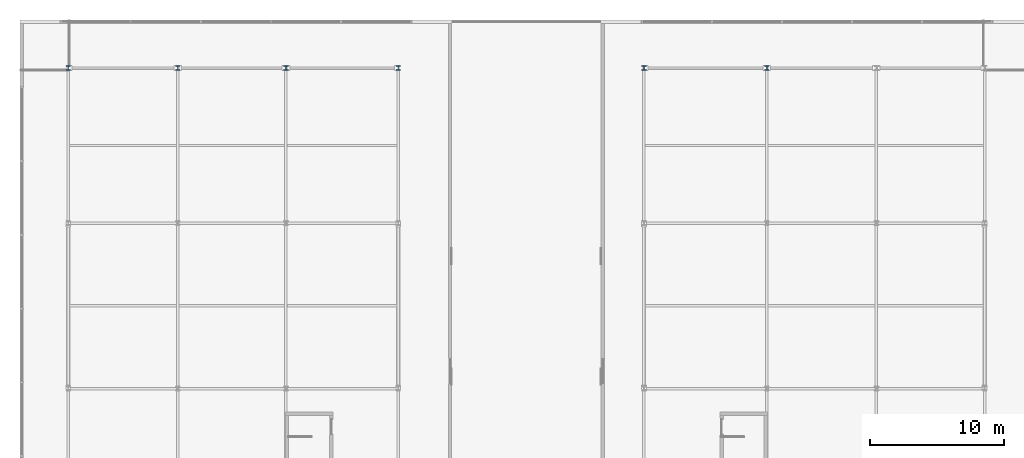
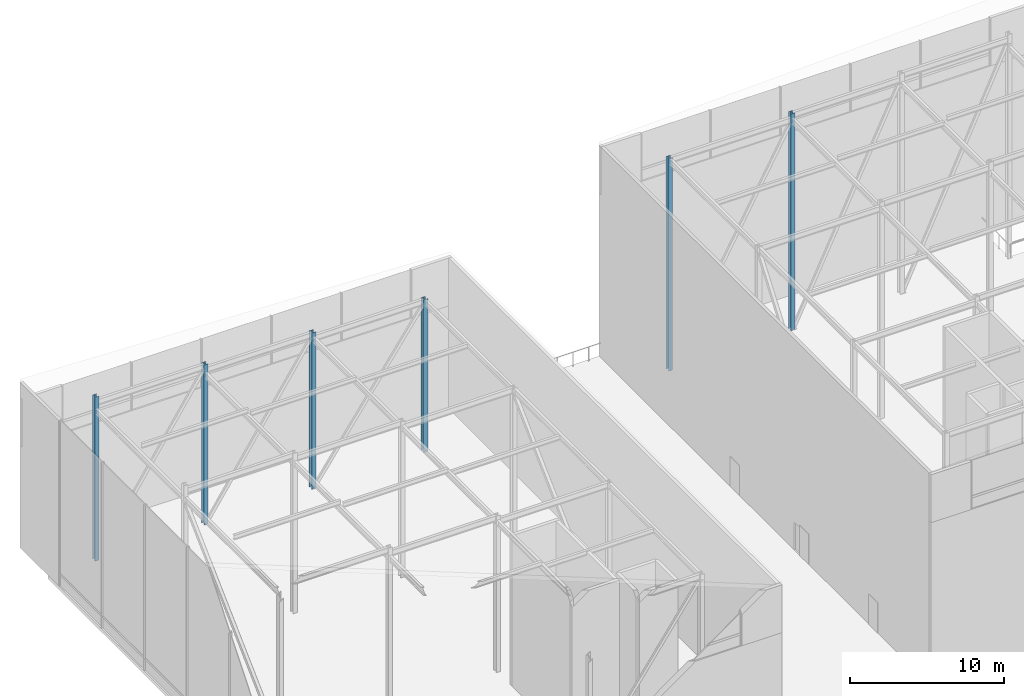
# One storey, part 3 of 39: 6 columns.
"""IFC4 building model written with IfcOpenShell, lengths in metres."""

from ifc_helpers import new_model, si_unit, direction, frame, origin, origin_2d, place, context, subcontext, project, spatial, i_section, extrude, material, material_profile, profile_set, type_object, element, save


model = new_model("IFC4")

# Units and contexts
model_context = context("Model", 3, precision=1e-05, world=origin(), true_north=direction((0.0, 1.0)))
body_context = subcontext(model_context, "Body", "Model", "MODEL_VIEW")
ifc_project = project(units=[si_unit("LENGTHUNIT", "METRE"), si_unit("AREAUNIT", "SQUARE_METRE"), si_unit("VOLUMEUNIT", "CUBIC_METRE"), si_unit("PLANEANGLEUNIT", "RADIAN"), si_unit("MASSUNIT", "GRAM", prefix="KILO")], contexts=[model_context])

# Site, building, storey
site_placement = place(None, origin())
site = spatial("IfcSite", under=ifc_project, at=site_placement, CompositionType="ELEMENT")
building_placement = place(site_placement, origin())
building = spatial("IfcBuilding", under=site, at=building_placement, Name="Korimba Cascade Residences", CompositionType="ELEMENT")
storey_placement = place(building_placement, frame((0.0, 0.0, 264.199951171875)))
storey = spatial("IfcBuildingStorey", under=building, at=storey_placement, Name="RF", CompositionType="ELEMENT", Elevation=264.199951171875)

# Columns
ifc_material = material(Name="Steel S355", Category="steel")
ifc_material_profile = material_profile(ifc_material, i_section(OverallWidth=0.314453125, OverallDepth=0.33984375, WebThickness=0.01904296875, FlangeThickness=0.031494140625, FilletRadius=0.01513671875, at=origin_2d()), Name="Steel S355")
ifc_profile_set = profile_set([ifc_material_profile], Name="Steel S355")
column_type = type_object("IfcColumnType", Name="COL-STL-UC198", PredefinedType="COLUMN", material=ifc_profile_set)
column_1_placement = place(storey_placement, frame((59.800048828125, 91.199951171875, 0.0), z_axis=(0.0, 0.0, 1.0), x_axis=(1.0, 0.0, 0.0)))
element("IfcColumn", 1, at=column_1_placement, inside=storey, type_object=column_type, Name="RF Split-Top Crown Frame Post W1.4", PredefinedType="COLUMN", context=body_context, shape_type="SweptSolid", body=[
    extrude(i_section(OverallWidth=0.314453125, OverallDepth=0.33984375, WebThickness=0.01904296875, FlangeThickness=0.031494140625, FilletRadius=0.01513671875, at=origin_2d()), origin(), (0.0, 0.0, 1.0), 13.016357421875),
])
column_2_placement = place(storey_placement, frame((68.0, 91.199951171875, 0.0), z_axis=(0.0, 0.0, 1.0), x_axis=(1.0, 0.0, 0.0)))
element("IfcColumn", 2, at=column_2_placement, inside=storey, type_object=column_type, Name="RF Split-Top Crown Frame Post W2.4", PredefinedType="COLUMN", context=body_context, shape_type="SweptSolid", body=[
    extrude(i_section(OverallWidth=0.314453125, OverallDepth=0.33984375, WebThickness=0.01904296875, FlangeThickness=0.031494140625, FilletRadius=0.01513671875, at=origin_2d()), origin(), (0.0, 0.0, 1.0), 12.711669921875),
])
column_3_placement = place(storey_placement, frame((76.10009765625, 91.199951171875, 0.0), z_axis=(0.0, 0.0, 1.0), x_axis=(1.0, 0.0, 0.0)))
element("IfcColumn", 3, at=column_3_placement, inside=storey, type_object=column_type, Name="RF Split-Top Crown Frame Post W3.4", PredefinedType="COLUMN", context=body_context, shape_type="SweptSolid", body=[
    extrude(i_section(OverallWidth=0.314453125, OverallDepth=0.33984375, WebThickness=0.01904296875, FlangeThickness=0.031494140625, FilletRadius=0.01513671875, at=origin_2d()), origin(), (0.0, 0.0, 1.0), 12.41064453125),
])
column_4_placement = place(storey_placement, frame((84.5, 91.199951171875, 0.0), z_axis=(0.0, 0.0, 1.0), x_axis=(1.0, 0.0, 0.0)))
element("IfcColumn", 4, at=column_4_placement, inside=storey, type_object=column_type, Name="RF Split-Top Crown Frame Post W4.4", PredefinedType="COLUMN", context=body_context, shape_type="SweptSolid", body=[
    extrude(i_section(OverallWidth=0.314453125, OverallDepth=0.33984375, WebThickness=0.01904296875, FlangeThickness=0.031494140625, FilletRadius=0.01513671875, at=origin_2d()), origin(), (0.0, 0.0, 1.0), 12.0986328125),
])
column_5_placement = place(storey_placement, frame((102.89990234375, 91.199951171875, 0.0), z_axis=(0.0, 0.0, 1.0), x_axis=(1.0, 0.0, 0.0)))
element("IfcColumn", 5, at=column_5_placement, inside=storey, type_object=column_type, Name="RF Split-Top Crown Frame Post E1.4", PredefinedType="COLUMN", context=body_context, shape_type="SweptSolid", body=[
    extrude(i_section(OverallWidth=0.314453125, OverallDepth=0.33984375, WebThickness=0.01904296875, FlangeThickness=0.031494140625, FilletRadius=0.01513671875, at=origin_2d()), origin(), (0.0, 0.0, 1.0), 16.868896484375),
])
column_6_placement = place(storey_placement, frame((112.10009765625, 91.199951171875, 0.0), z_axis=(0.0, 0.0, 1.0), x_axis=(1.0, 0.0, 0.0)))
element("IfcColumn", 6, at=column_6_placement, inside=storey, type_object=column_type, Name="RF Split-Top Crown Frame Post E2.4", PredefinedType="COLUMN", context=body_context, shape_type="SweptSolid", body=[
    extrude(i_section(OverallWidth=0.314453125, OverallDepth=0.33984375, WebThickness=0.01904296875, FlangeThickness=0.031494140625, FilletRadius=0.01513671875, at=origin_2d()), origin(), (0.0, 0.0, 1.0), 17.210693359375),
])

save(model, "model.ifc")
